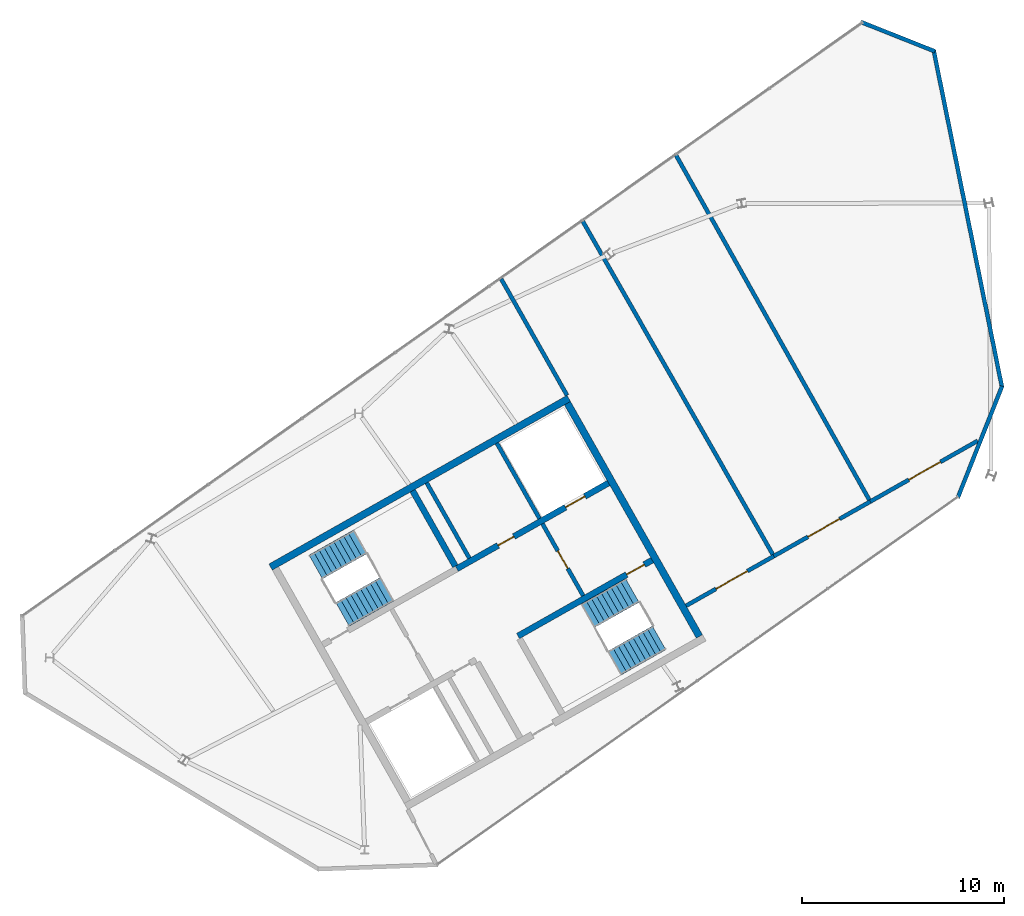
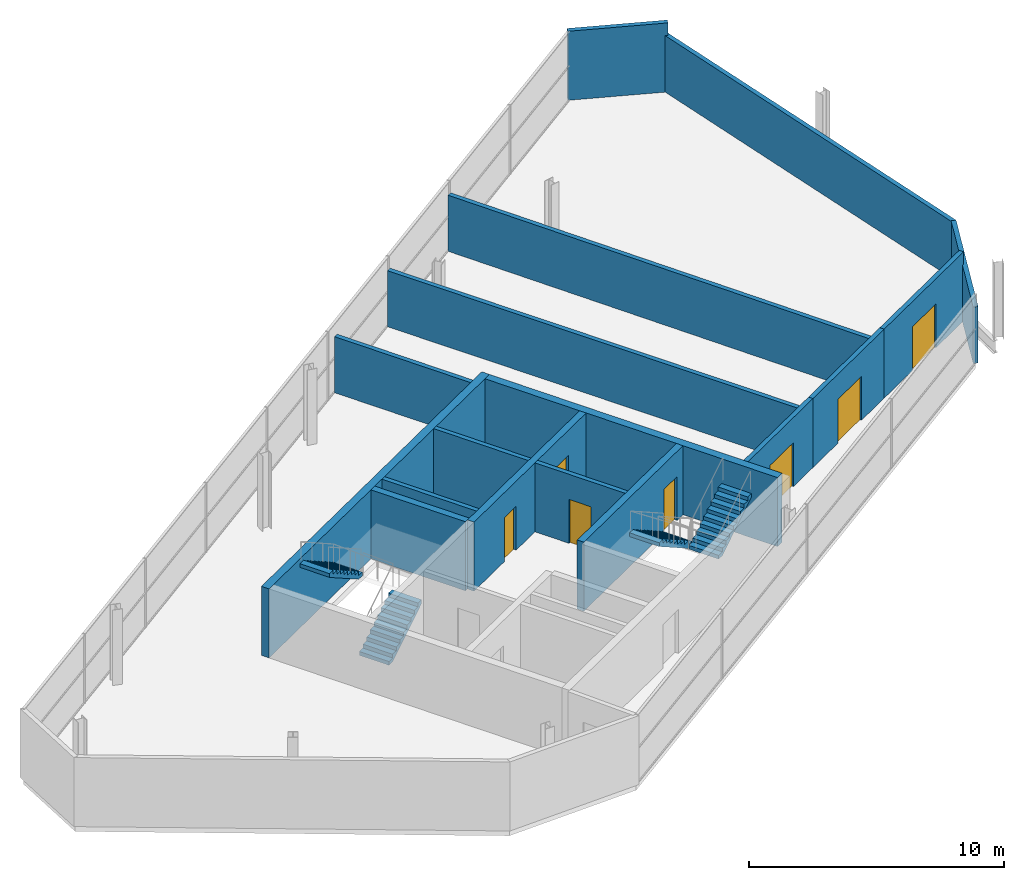
# One storey, part 9 of 10: 17 walls, 7 doors, 4 stair flights, 7 openings, 2 elements without a shape of their own.
"""IFC4 building model written with IfcOpenShell, lengths in metres."""

from ifc_helpers import new_model, si_unit, direction, frame, frame_2d, origin, place, context, subcontext, project, spatial, polyline, rectangle, outline, extrude, material, layer, layer_set, type_object, element, fill, aggregate, save


model = new_model("IFC4")

# Units and contexts
model_context = context("Model", 3, precision=1e-05, world=origin(), true_north=direction((0.0, 1.0)))
body_context = subcontext(model_context, "Body", "Model", "MODEL_VIEW")
ifc_project = project(units=[si_unit("LENGTHUNIT", "METRE"), si_unit("AREAUNIT", "SQUARE_METRE"), si_unit("VOLUMEUNIT", "CUBIC_METRE"), si_unit("PLANEANGLEUNIT", "RADIAN"), si_unit("MASSUNIT", "GRAM", prefix="KILO")], contexts=[model_context])

# Site, building, storey
site_placement = place(None, origin())
site = spatial("IfcSite", under=ifc_project, at=site_placement, CompositionType="ELEMENT")
building_placement = place(site_placement, origin())
building = spatial("IfcBuilding", under=site, at=building_placement, Name="Binnacle Exchange Tower", CompositionType="ELEMENT")
storey_placement = place(building_placement, frame((0.0, 0.0, 364.89990234375)))
storey = spatial("IfcBuildingStorey", under=building, at=storey_placement, Name="L84", CompositionType="ELEMENT", Elevation=364.89990234375)

# Wall, openings, doors
ifc_material_1 = material(Name="Concrete C70/85", Category="concrete")
ifc_layer_1 = layer(ifc_material_1, 0.300048828125)
ifc_layer_set_1 = layer_set([ifc_layer_1], Name="Core wall - front 300")
wall_type_1 = type_object("IfcWallType", Name="Core wall - front 300", PredefinedType="SOLIDWALL", material=ifc_layer_set_1)
wall_1_placement = place(storey_placement, frame((-37.281982421875, 41.4345703125, 0.0), z_axis=(0.0, 0.0, 1.0), x_axis=(0.870364588774, 0.492407841741, 0.0)))
wall_1 = element("IfcWall", 1, at=wall_1_placement, inside=storey, type_object=wall_type_1, Name="Core wall CRWA5", PredefinedType="SOLIDWALL", context=body_context, shape_type="SweptSolid", body=[
    extrude(rectangle(XDim=8.64990234375, YDim=0.300048828125, at=frame_2d((4.324951171875, 0.0))), origin(), (0.0, 0.0, 1.0), 3.300048828125),
])
opening_1_placement = place(wall_1_placement, frame((6.199951171875, 0.0, 0.0)))
opening_1 = element("IfcOpeningElement", 2, at=opening_1_placement, cuts=wall_1, Name="Opening LD13", PredefinedType="OPENING", context=body_context, shape_type="SweptSolid", body=[
    extrude(rectangle(XDim=1.10009765625, YDim=2.10009765625, at=frame_2d((0.550048828125, 1.050048828125))), frame((0.0, 0.159912109375, 0.0), z_axis=(0.0, -1.0, 0.0), x_axis=(1.0, 0.0, 0.0)), (0.0, 0.0, 1.0), 0.320068359375),
])
opening_2_placement = place(wall_1_placement, frame((2.35009765625, 0.0, 0.0)))
opening_2 = element("IfcOpeningElement", 3, at=opening_2_placement, cuts=wall_1, Name="Opening DA10", PredefinedType="OPENING", context=body_context, shape_type="SweptSolid", body=[
    extrude(rectangle(XDim=0.89990234375, YDim=2.10009765625, at=frame_2d((0.449951171875, 1.050048828125))), frame((0.0, 0.159912109375, 0.0), z_axis=(0.0, -1.0, 0.0), x_axis=(1.0, 0.0, 0.0)), (0.0, 0.0, 1.0), 0.320068359375),
])
ifc_material_2 = material(Name="Steel door leaf", Category="steel")
door_type_1 = type_object("IfcDoorType", Name="Fire door - lift landing 1100", OperationType="NOTDEFINED", PredefinedType="DOOR", material=ifc_material_2)
door_1_placement = place(opening_1_placement, origin())
door_1 = element("IfcDoor", 4, at=door_1_placement, inside=storey, type_object=door_type_1, Name="Landing door LD13 L84", OperationType="DOUBLE_DOOR_SLIDING", OverallHeight=2.10009765625, OverallWidth=1.10009765625, PredefinedType="DOOR", context=body_context, shape_type="SweptSolid", body=[
    extrude(rectangle(XDim=1.10009765625, YDim=2.10009765625, at=frame_2d((0.550048828125, 1.050048828125))), frame((0.0, 0.02490234375, 0.0), z_axis=(0.0, -1.0, 0.0), x_axis=(1.0, 0.0, 0.0)), (0.0, 0.0, 1.0), 0.050048828125),
])
fill(opening_1, door_1)
door_type_2 = type_object("IfcDoorType", Name="Fire door 900", OperationType="NOTDEFINED", PredefinedType="DOOR", material=ifc_material_2)
door_2_placement = place(opening_2_placement, origin())
door_2 = element("IfcDoor", 5, at=door_2_placement, inside=storey, type_object=door_type_2, Name="Core room door EQUIPMENT STORE", OperationType="SINGLE_SWING_LEFT", OverallHeight=2.10009765625, OverallWidth=0.89990234375, PredefinedType="DOOR", context=body_context, shape_type="SweptSolid", body=[
    extrude(rectangle(XDim=0.89990234375, YDim=2.10009765625, at=frame_2d((0.449951171875, 1.050048828125))), frame((0.0, 0.02490234375, 0.0), z_axis=(0.0, -1.0, 0.0), x_axis=(1.0, 0.0, 0.0)), (0.0, 0.0, 1.0), 0.050048828125),
])
fill(opening_2, door_2)

# Walls
ifc_layer_2 = layer(ifc_material_1, 0.35009765625)
ifc_layer_set_2 = layer_set([ifc_layer_2], Name="Core wall - outer 350")
wall_type_2 = type_object("IfcWallType", Name="Core wall - outer 350", PredefinedType="SOLIDWALL", material=ifc_layer_set_2)
wall_2_placement = place(storey_placement, frame((-46.5224609375, 41.5205078125, 0.0), z_axis=(0.0, 0.0, 1.0), x_axis=(0.870359753402, 0.492416388494, 0.0)))
element("IfcWall", 6, at=wall_2_placement, inside=storey, type_object=wall_type_2, Name="Core wall CRWA6", PredefinedType="SOLIDWALL", context=body_context, shape_type="SweptSolid", body=[
    extrude(rectangle(XDim=17.0, YDim=0.35009765625, at=frame_2d((8.5, 0.0))), origin(), (0.0, 0.0, 1.0), 3.300048828125),
])
wall_3_placement = place(storey_placement, frame((-31.79248046875, 49.6533203125, 0.0), z_axis=(0.0, 0.0, 1.0), x_axis=(0.492421943245, -0.870356610712, 0.0)))
element("IfcWall", 7, at=wall_3_placement, inside=storey, type_object=wall_type_2, Name="Core wall CRWA22", PredefinedType="SOLIDWALL", context=body_context, shape_type="SweptSolid", body=[
    extrude(rectangle(XDim=13.30029296875, YDim=0.35009765625, at=frame_2d((6.650146484375, 0.0))), origin(), (0.0, 0.0, 1.0), 3.300048828125),
])

# Wall, opening, door
ifc_layer_3 = layer(ifc_material_1, 0.300048828125)
ifc_layer_set_3 = layer_set([ifc_layer_3], Name="Core wall - stair 300")
wall_type_3 = type_object("IfcWallType", Name="Core wall - stair 300", PredefinedType="SOLIDWALL", material=ifc_layer_set_3)
wall_4_placement = place(storey_placement, frame((-34.2451171875, 38.097412109375, 0.0), z_axis=(0.0, 0.0, 1.0), x_axis=(0.870352347706, 0.49242947804, 0.0)))
wall_4 = element("IfcWall", 8, at=wall_4_placement, inside=storey, type_object=wall_type_3, Name="Core wall CRWA3", PredefinedType="SOLIDWALL", context=body_context, shape_type="SweptSolid", body=[
    extrude(rectangle(XDim=7.64990234375, YDim=0.300048828125, at=frame_2d((3.824951171875, 0.0))), origin(), (0.0, 0.0, 1.0), 3.300048828125),
])
opening_3_placement = place(wall_4_placement, frame((6.199951171875, 0.0, 0.0)))
opening_3 = element("IfcOpeningElement", 9, at=opening_3_placement, cuts=wall_4, Name="Opening DA2", PredefinedType="OPENING", context=body_context, shape_type="SweptSolid", body=[
    extrude(rectangle(XDim=1.0, YDim=2.10009765625, at=frame_2d((0.5, 1.050048828125))), frame((0.0, 0.159912109375, 0.0), z_axis=(0.0, -1.0, 0.0), x_axis=(1.0, 0.0, 0.0)), (0.0, 0.0, 1.0), 0.320068359375),
])
door_type_3 = type_object("IfcDoorType", Name="Fire door 1000", OperationType="NOTDEFINED", PredefinedType="DOOR", material=ifc_material_2)
door_3_placement = place(opening_3_placement, frame((1.0, 0.0, 0.0), z_axis=(0.0, 0.0, 1.0), x_axis=(-1.0, 0.0, 0.0)))
door_3 = element("IfcDoor", 10, at=door_3_placement, inside=storey, type_object=door_type_3, Name="Stair door ST-A2", OperationType="SINGLE_SWING_LEFT", OverallHeight=2.10009765625, OverallWidth=1.0, PredefinedType="DOOR", context=body_context, shape_type="SweptSolid", body=[
    extrude(rectangle(XDim=1.0, YDim=2.10009765625, at=frame_2d((0.5, 1.050048828125))), frame((0.0, 0.02490234375, 0.0), z_axis=(0.0, -1.0, 0.0), x_axis=(1.0, 0.0, 0.0)), (0.0, 0.0, 1.0), 0.050048828125),
])
fill(opening_3, door_3)

# Walls
wall_5_placement = place(storey_placement, frame((-39.473388671875, 45.3076171875, 0.0), z_axis=(0.0, 0.0, 1.0), x_axis=(0.492410799949, -0.870362915164, 0.0)))
element("IfcWall", 11, at=wall_5_placement, inside=storey, type_object=wall_type_3, Name="Core wall CRWA14", PredefinedType="SOLIDWALL", context=body_context, shape_type="SweptSolid", body=[
    extrude(rectangle(XDim=4.300048828125, YDim=0.300048828125, at=frame_2d((2.14990234375, 0.0))), origin(), (0.0, 0.0, 1.0), 3.300048828125),
])
ifc_material_3 = material(Name="Bronze aluminium louvre", Category="aluminium")
ifc_layer_4 = layer(ifc_material_3, 0.199951171875)
ifc_layer_set_4 = layer_set([ifc_layer_4], Name="External wall - crown louvre 200")
wall_type_4 = type_object("IfcWallType", Name="External wall - crown louvre 200", PredefinedType="STANDARD", material=ifc_layer_set_4)
wall_6_placement = place(storey_placement, frame((-10.220458984375, 50.5009765625, 0.0), z_axis=(0.0, 0.0, 1.0), x_axis=(-0.369026712049, -0.929418789241, 0.0)))
element("IfcWall", 12, at=wall_6_placement, inside=storey, type_object=wall_type_4, Name="External wall EW-C300 L84", PredefinedType="STANDARD", context=body_context, shape_type="SweptSolid", body=[
    extrude(rectangle(XDim=5.968017578125, YDim=0.199951171875, at=frame_2d((2.98388671875, 0.0))), origin(), (0.0, 0.0, 1.0), 2.7001953125),
])
wall_7_placement = place(storey_placement, frame((-13.61962890625, 67.187744140625, 0.0), z_axis=(0.0, 0.0, 1.0), x_axis=(0.198668549131, -0.980066736292, 0.0)))
element("IfcWall", 13, at=wall_7_placement, inside=storey, type_object=wall_type_4, Name="External wall EW-C301 L84", PredefinedType="STANDARD", context=body_context, shape_type="SweptSolid", body=[
    extrude(rectangle(XDim=17.083984375, YDim=0.199951171875, at=frame_2d((8.5419921875, 0.0))), origin(), (0.0, 0.0, 1.0), 2.7001953125),
])
wall_8_placement = place(storey_placement, frame((-17.2412109375, 68.576904296875, 0.0), z_axis=(0.0, 0.0, 1.0), x_axis=(0.929408544005, -0.369052514325, 0.0)))
element("IfcWall", 14, at=wall_8_placement, inside=storey, type_object=wall_type_4, Name="External wall EW-C302 L84", PredefinedType="STANDARD", context=body_context, shape_type="SweptSolid", body=[
    extrude(rectangle(XDim=3.962646484375, YDim=0.199951171875, at=frame_2d((1.9814453125, 0.0))), origin(), (0.0, 0.0, 1.0), 3.300048828125),
])
ifc_material_4 = material(Name="Masonry block wall", Category="masonry")
ifc_layer_5 = layer(ifc_material_4, 0.199951171875)
ifc_layer_set_5 = layer_set([ifc_layer_5], Name="Fire wall - block 200")
wall_type_5 = type_object("IfcWallType", Name="Fire wall - block 200", PredefinedType="PARTITIONING", material=ifc_layer_set_5)
wall_9_placement = place(storey_placement, frame((-35.080078125, 55.819091796875, 0.0), z_axis=(0.0, 0.0, 1.0), x_axis=(0.49249727422, -0.870313986379, 0.0)))
element("IfcWall", 15, at=wall_9_placement, inside=storey, type_object=wall_type_5, Name="Partition W02", PredefinedType="PARTITIONING", context=body_context, shape_type="SweptSolid", body=[
    extrude(rectangle(XDim=6.6357421875, YDim=0.199951171875, at=frame_2d((3.31787109375, 0.0))), origin(), (0.0, 0.0, 1.0), 2.68017578125),
])
wall_10_placement = place(storey_placement, frame((-31.031005859375, 58.678955078125, 0.0), z_axis=(0.0, 0.0, 1.0), x_axis=(0.495492853456, -0.868612014753, 0.0)))
element("IfcWall", 16, at=wall_10_placement, inside=storey, type_object=wall_type_5, Name="Partition W03", PredefinedType="PARTITIONING", context=body_context, shape_type="SweptSolid", body=[
    extrude(rectangle(XDim=19.13037109375, YDim=0.199951171875, at=frame_2d((9.565185546875, 0.0))), origin(), (0.0, 0.0, 1.0), 2.68017578125),
])
wall_11_placement = place(storey_placement, frame((-26.39892578125, 61.949951171875, 0.0), z_axis=(0.0, 0.0, 1.0), x_axis=(0.489116217078, -0.872218622933, 0.0)))
element("IfcWall", 17, at=wall_11_placement, inside=storey, type_object=wall_type_5, Name="Partition W04", PredefinedType="PARTITIONING", context=body_context, shape_type="SweptSolid", body=[
    extrude(rectangle(XDim=19.69677734375, YDim=0.199951171875, at=frame_2d((9.848388671875, 0.0))), origin(), (0.0, 0.0, 1.0), 2.68017578125),
])

# Wall, opening, door
wall_12_placement = place(storey_placement, frame((-25.904052734375, 39.60009765625, 0.0), z_axis=(0.0, 0.0, 1.0), x_axis=(0.870386362759, 0.492369352746, 0.0)))
wall_12 = element("IfcWall", 18, at=wall_12_placement, inside=storey, type_object=wall_type_5, Name="Partition W05", PredefinedType="PARTITIONING", context=body_context, shape_type="SweptSolid", body=[
    extrude(rectangle(XDim=5.000244140625, YDim=0.199951171875, at=frame_2d((2.5, 0.0))), origin(), (0.0, 0.0, 1.0), 3.300048828125),
])
opening_4_placement = place(wall_12_placement, frame((1.699951171875, 0.0, 0.0)))
opening_4 = element("IfcOpeningElement", 19, at=opening_4_placement, cuts=wall_12, Name="Opening DL83-01", PredefinedType="OPENING", context=body_context, shape_type="SweptSolid", body=[
    extrude(rectangle(XDim=1.800048828125, YDim=2.10009765625, at=frame_2d((0.89990234375, 1.050048828125))), frame((0.0, 0.10986328125, 0.0), z_axis=(0.0, -1.0, 0.0), x_axis=(1.0, 0.0, 0.0)), (0.0, 0.0, 1.0), 0.219970703125),
])
door_type_4 = type_object("IfcDoorType", Name="Fire door 1800", OperationType="NOTDEFINED", PredefinedType="DOOR", material=ifc_material_2)
door_4_placement = place(opening_4_placement, origin())
door_4 = element("IfcDoor", 20, at=door_4_placement, inside=storey, type_object=door_type_4, Name="Door DL83-01", OperationType="DOUBLE_DOOR_SINGLE_SWING", OverallHeight=2.10009765625, OverallWidth=1.800048828125, PredefinedType="DOOR", context=body_context, shape_type="SweptSolid", body=[
    extrude(rectangle(XDim=1.800048828125, YDim=2.10009765625, at=frame_2d((0.89990234375, 1.050048828125))), frame((0.0, 0.02490234375, 0.0), z_axis=(0.0, -1.0, 0.0), x_axis=(1.0, 0.0, 0.0)), (0.0, 0.0, 1.0), 0.050048828125),
])
fill(opening_4, door_4)

wall_13_placement = place(storey_placement, frame((-21.552001953125, 42.06201171875, 0.0), z_axis=(0.0, 0.0, 1.0), x_axis=(0.870387515286, 0.492367315359, 0.0)))
wall_13 = element("IfcWall", 21, at=wall_13_placement, inside=storey, type_object=wall_type_5, Name="Partition W06", PredefinedType="PARTITIONING", context=body_context, shape_type="SweptSolid", body=[
    extrude(rectangle(XDim=5.5, YDim=0.199951171875, at=frame_2d((2.75, 0.0))), origin(), (0.0, 0.0, 1.0), 3.300048828125),
])
opening_5_placement = place(wall_13_placement, frame((1.949951171875, 0.0, 0.0)))
opening_5 = element("IfcOpeningElement", 22, at=opening_5_placement, cuts=wall_13, Name="Opening DL83-02", PredefinedType="OPENING", context=body_context, shape_type="SweptSolid", body=[
    extrude(rectangle(XDim=1.800048828125, YDim=2.10009765625, at=frame_2d((0.89990234375, 1.050048828125))), frame((0.0, 0.10986328125, 0.0), z_axis=(0.0, -1.0, 0.0), x_axis=(1.0, 0.0, 0.0)), (0.0, 0.0, 1.0), 0.219970703125),
])
door_5_placement = place(opening_5_placement, origin())
door_5 = element("IfcDoor", 23, at=door_5_placement, inside=storey, type_object=door_type_4, Name="Door DL83-02", OperationType="DOUBLE_DOOR_SINGLE_SWING", OverallHeight=2.10009765625, OverallWidth=1.800048828125, PredefinedType="DOOR", context=body_context, shape_type="SweptSolid", body=[
    extrude(rectangle(XDim=1.800048828125, YDim=2.10009765625, at=frame_2d((0.89990234375, 1.050048828125))), frame((0.0, 0.02490234375, 0.0), z_axis=(0.0, -1.0, 0.0), x_axis=(1.0, 0.0, 0.0)), (0.0, 0.0, 1.0), 0.050048828125),
])
fill(opening_5, door_5)

wall_14_placement = place(storey_placement, frame((-16.764892578125, 44.77001953125, 0.0), z_axis=(0.0, 0.0, 1.0), x_axis=(0.870320026037, 0.492486601116, 0.0)))
wall_14 = element("IfcWall", 24, at=wall_14_placement, inside=storey, type_object=wall_type_5, Name="Partition W07", PredefinedType="PARTITIONING", context=body_context, shape_type="SweptSolid", body=[
    extrude(rectangle(XDim=6.126220703125, YDim=0.199951171875, at=frame_2d((3.06298828125, 0.0))), origin(), (0.0, 0.0, 1.0), 3.300048828125),
])
opening_6_placement = place(wall_14_placement, frame((2.199951171875, 0.0, 0.0)))
opening_6 = element("IfcOpeningElement", 25, at=opening_6_placement, cuts=wall_14, Name="Opening DL83-03", PredefinedType="OPENING", context=body_context, shape_type="SweptSolid", body=[
    extrude(rectangle(XDim=1.800048828125, YDim=2.10009765625, at=frame_2d((0.89990234375, 1.050048828125))), frame((0.0, 0.10986328125, 0.0), z_axis=(0.0, -1.0, 0.0), x_axis=(1.0, 0.0, 0.0)), (0.0, 0.0, 1.0), 0.219970703125),
])
door_6_placement = place(opening_6_placement, origin())
door_6 = element("IfcDoor", 26, at=door_6_placement, inside=storey, type_object=door_type_4, Name="Door DL83-03", OperationType="DOUBLE_DOOR_SINGLE_SWING", OverallHeight=2.10009765625, OverallWidth=1.800048828125, PredefinedType="DOOR", context=body_context, shape_type="SweptSolid", body=[
    extrude(rectangle(XDim=1.800048828125, YDim=2.10009765625, at=frame_2d((0.89990234375, 1.050048828125))), frame((0.0, 0.02490234375, 0.0), z_axis=(0.0, -1.0, 0.0), x_axis=(1.0, 0.0, 0.0)), (0.0, 0.0, 1.0), 0.050048828125),
])
fill(opening_6, door_6)

ifc_layer_6 = layer(ifc_material_4, 0.199951171875)
ifc_layer_set_6 = layer_set([ifc_layer_6], Name="Fire wall - vestibule 200")
wall_type_6 = type_object("IfcWallType", Name="Fire wall - vestibule 200", PredefinedType="PARTITIONING", material=ifc_layer_set_6)
wall_15_placement = place(storey_placement, frame((-33.030517578125, 43.66748046875, 0.0), z_axis=(0.0, 0.0, 1.0), x_axis=(0.492408451753, -0.87036424366, 0.0)))
wall_15 = element("IfcWall", 27, at=wall_15_placement, inside=storey, type_object=wall_type_6, Name="Core wall CRWA19", PredefinedType="PARTITIONING", context=body_context, shape_type="SweptSolid", body=[
    extrude(rectangle(XDim=4.099853515625, YDim=0.199951171875, at=frame_2d((2.0498046875, 0.0))), origin(), (0.0, 0.0, 1.0), 3.300048828125),
])
opening_7_placement = place(wall_15_placement, frame((1.550048828125, 0.0, 0.0)))
opening_7 = element("IfcOpeningElement", 28, at=opening_7_placement, cuts=wall_15, Name="Opening DA4", PredefinedType="OPENING", context=body_context, shape_type="SweptSolid", body=[
    extrude(rectangle(XDim=1.0, YDim=2.10009765625, at=frame_2d((0.5, 1.050048828125))), frame((0.0, 0.10986328125, 0.0), z_axis=(0.0, -1.0, 0.0), x_axis=(1.0, 0.0, 0.0)), (0.0, 0.0, 1.0), 0.219970703125),
])
door_7_placement = place(opening_7_placement, origin())
door_7 = element("IfcDoor", 29, at=door_7_placement, inside=storey, type_object=door_type_3, Name="Vestibule door VEST-E", OperationType="SINGLE_SWING_RIGHT", OverallHeight=2.10009765625, OverallWidth=1.0, PredefinedType="DOOR", context=body_context, shape_type="SweptSolid", body=[
    extrude(rectangle(XDim=1.0, YDim=2.10009765625, at=frame_2d((0.5, 1.050048828125))), frame((0.0, 0.02490234375, 0.0), z_axis=(0.0, -1.0, 0.0), x_axis=(1.0, 0.0, 0.0)), (0.0, 0.0, 1.0), 0.050048828125),
])
fill(opening_7, door_7)

# Walls
ifc_layer_7 = layer(ifc_material_4, 0.199951171875)
ifc_layer_set_7 = layer_set([ifc_layer_7], Name="Riser wall 200")
wall_type_7 = type_object("IfcWallType", Name="Riser wall 200", PredefinedType="SOLIDWALL", material=ifc_layer_set_7)
wall_16_placement = place(storey_placement, frame((-38.777099609375, 45.701416015625, 0.0), z_axis=(0.0, 0.0, 1.0), x_axis=(0.492435133428, -0.870349147967, 0.0)))
element("IfcWall", 30, at=wall_16_placement, inside=storey, type_object=wall_type_7, Name="Core wall CRWA15", PredefinedType="SOLIDWALL", context=body_context, shape_type="SweptSolid", body=[
    extrude(rectangle(XDim=4.2998046875, YDim=0.199951171875, at=frame_2d((2.14990234375, 0.0))), origin(), (0.0, 0.0, 1.0), 3.300048828125),
])
ifc_layer_8 = layer(ifc_material_4, 0.199951171875)
ifc_layer_set_8 = layer_set([ifc_layer_8], Name="Shaft wall 200")
wall_type_8 = type_object("IfcWallType", Name="Shaft wall 200", PredefinedType="SOLIDWALL", material=ifc_layer_set_8)
wall_17_placement = place(storey_placement, frame((-35.295654296875, 47.671142578125, 0.0), z_axis=(0.0, 0.0, 1.0), x_axis=(0.492435133428, -0.870349147967, 0.0)))
element("IfcWall", 31, at=wall_17_placement, inside=storey, type_object=wall_type_8, Name="Core wall CRWA21", PredefinedType="SOLIDWALL", context=body_context, shape_type="SweptSolid", body=[
    extrude(rectangle(XDim=4.2998046875, YDim=0.199951171875, at=frame_2d((2.14990234375, 0.0))), origin(), (0.0, 0.0, 1.0), 3.300048828125),
])

# Stair, stair flights
ifc_material_5 = material(Name="Concrete C35/45", Category="concrete")
stair_type = type_object("IfcStairType", Name="STAIR 20 RISERS 180", PredefinedType="HALF_TURN_STAIR", material=ifc_material_5)
stair_1_placement = place(storey_placement, origin())
stair_1 = element("IfcStair", 32, at=stair_1_placement, inside=storey, type_object=stair_type, Name="L84 Escape stair A1", PredefinedType="HALF_TURN_STAIR")
stair_flight_type = type_object("IfcStairFlightType", Name="STAIR FLIGHT 180X280", PredefinedType="STRAIGHT", material=ifc_material_5)
stair_flight_1_placement = place(storey_placement, frame((-42.9541015625, 39.17333984375, 0.0), z_axis=(0.0, 0.0, 1.0), x_axis=(0.870355584213, 0.492423757581, 0.0)))
stair_flight_1 = element("IfcStairFlight", 33, at=stair_flight_1_placement, type_object=stair_flight_type, Name="STA1 flight 1", NumberOfRisers=10, NumberOfTreads=9, PredefinedType="STRAIGHT", RiserHeight=0.18, TreadLength=0.28, context=body_context, shape_type="SweptSolid", body=[
    extrude(outline(polyline([(0.0, 0.0), (0.0, 0.179931640625), (0.280029296875, 0.179931640625), (0.280029296875, 0.360107421875), (0.56005859375, 0.360107421875), (0.56005859375, 0.5400390625), (0.840087890625, 0.5400390625), (0.840087890625, 0.719970703125), (1.1201171875, 0.719970703125), (1.1201171875, 0.89990234375), (1.39990234375, 0.89990234375), (1.39990234375, 1.080078125), (1.679931640625, 1.080078125), (1.679931640625, 1.260009765625), (1.9599609375, 1.260009765625), (1.9599609375, 1.43994140625), (2.239990234375, 1.43994140625), (2.239990234375, 1.6201171875), (2.52001953125, 1.6201171875), (2.52001953125, 1.800048828125), (2.52001953125, 1.44189453125), (0.277099609375, 0.0), (0.0, 0.0)])), frame((0.0, 0.675048828125, 0.0), z_axis=(0.0, -1.0, 0.0), x_axis=(1.0, 0.0, 0.0)), (0.0, 0.0, 1.0), 1.35009765625),
])
stair_flight_2_placement = place(storey_placement, frame((-42.09033203125, 42.76416015625, 1.800048828125), z_axis=(0.0, 0.0, 1.0), x_axis=(-0.870355584213, -0.492423757581, 0.0)))
stair_flight_2 = element("IfcStairFlight", 34, at=stair_flight_2_placement, type_object=stair_flight_type, Name="STA1 flight 2", NumberOfRisers=10, NumberOfTreads=9, PredefinedType="STRAIGHT", RiserHeight=0.18, TreadLength=0.28, context=body_context, shape_type="SweptSolid", body=[
    extrude(outline(polyline([(0.0, 0.0), (0.0, 0.179931640625), (0.280029296875, 0.179931640625), (0.280029296875, 0.360107421875), (0.56005859375, 0.360107421875), (0.56005859375, 0.5400390625), (0.840087890625, 0.5400390625), (0.840087890625, 0.719970703125), (1.1201171875, 0.719970703125), (1.1201171875, 0.89990234375), (1.39990234375, 0.89990234375), (1.39990234375, 1.080078125), (1.679931640625, 1.080078125), (1.679931640625, 1.260009765625), (1.9599609375, 1.260009765625), (1.9599609375, 1.43994140625), (2.239990234375, 1.43994140625), (2.239990234375, 1.6201171875), (2.52001953125, 1.6201171875), (2.52001953125, 1.800048828125), (2.52001953125, 1.44189453125), (0.277099609375, 0.0), (0.0, 0.0)])), frame((0.0, 0.675048828125, 0.0), z_axis=(0.0, -1.0, 0.0), x_axis=(1.0, 0.0, 0.0)), (0.0, 0.0, 1.0), 1.35009765625),
])
aggregate(stair_1, [stair_flight_1, stair_flight_2])

stair_2_placement = place(storey_placement, origin())
stair_2 = element("IfcStair", 35, at=stair_2_placement, inside=storey, type_object=stair_type, Name="L84 Escape stair A2", PredefinedType="HALF_TURN_STAIR")
stair_flight_3_placement = place(storey_placement, frame((-28.5732421875, 40.3583984375, 0.0), z_axis=(0.0, 0.0, 1.0), x_axis=(-0.870355584213, -0.492423757581, 0.0)))
stair_flight_3 = element("IfcStairFlight", 36, at=stair_flight_3_placement, type_object=stair_flight_type, Name="STA2 flight 1", NumberOfRisers=10, NumberOfTreads=9, PredefinedType="STRAIGHT", RiserHeight=0.18, TreadLength=0.28, context=body_context, shape_type="SweptSolid", body=[
    extrude(outline(polyline([(0.0, 0.0), (0.0, 0.179931640625), (0.280029296875, 0.179931640625), (0.280029296875, 0.360107421875), (0.56005859375, 0.360107421875), (0.56005859375, 0.5400390625), (0.840087890625, 0.5400390625), (0.840087890625, 0.719970703125), (1.1201171875, 0.719970703125), (1.1201171875, 0.89990234375), (1.39990234375, 0.89990234375), (1.39990234375, 1.080078125), (1.679931640625, 1.080078125), (1.679931640625, 1.260009765625), (1.9599609375, 1.260009765625), (1.9599609375, 1.43994140625), (2.239990234375, 1.43994140625), (2.239990234375, 1.6201171875), (2.52001953125, 1.6201171875), (2.52001953125, 1.800048828125), (2.52001953125, 1.44189453125), (0.277099609375, 0.0), (0.0, 0.0)])), frame((0.0, 0.675048828125, 0.0), z_axis=(0.0, -1.0, 0.0), x_axis=(1.0, 0.0, 0.0)), (0.0, 0.0, 1.0), 1.35009765625),
])
stair_flight_4_placement = place(storey_placement, frame((-29.43701171875, 36.767578125, 1.800048828125), z_axis=(0.0, 0.0, 1.0), x_axis=(0.870355584213, 0.492423757581, 0.0)))
stair_flight_4 = element("IfcStairFlight", 37, at=stair_flight_4_placement, type_object=stair_flight_type, Name="STA2 flight 2", NumberOfRisers=10, NumberOfTreads=9, PredefinedType="STRAIGHT", RiserHeight=0.18, TreadLength=0.28, context=body_context, shape_type="SweptSolid", body=[
    extrude(outline(polyline([(0.0, 0.0), (0.0, 0.179931640625), (0.280029296875, 0.179931640625), (0.280029296875, 0.360107421875), (0.56005859375, 0.360107421875), (0.56005859375, 0.5400390625), (0.840087890625, 0.5400390625), (0.840087890625, 0.719970703125), (1.1201171875, 0.719970703125), (1.1201171875, 0.89990234375), (1.39990234375, 0.89990234375), (1.39990234375, 1.080078125), (1.679931640625, 1.080078125), (1.679931640625, 1.260009765625), (1.9599609375, 1.260009765625), (1.9599609375, 1.43994140625), (2.239990234375, 1.43994140625), (2.239990234375, 1.6201171875), (2.52001953125, 1.6201171875), (2.52001953125, 1.800048828125), (2.52001953125, 1.44189453125), (0.277099609375, 0.0), (0.0, 0.0)])), frame((0.0, 0.675048828125, 0.0), z_axis=(0.0, -1.0, 0.0), x_axis=(1.0, 0.0, 0.0)), (0.0, 0.0, 1.0), 1.35009765625),
])
aggregate(stair_2, [stair_flight_3, stair_flight_4])

save(model, "model.ifc")
